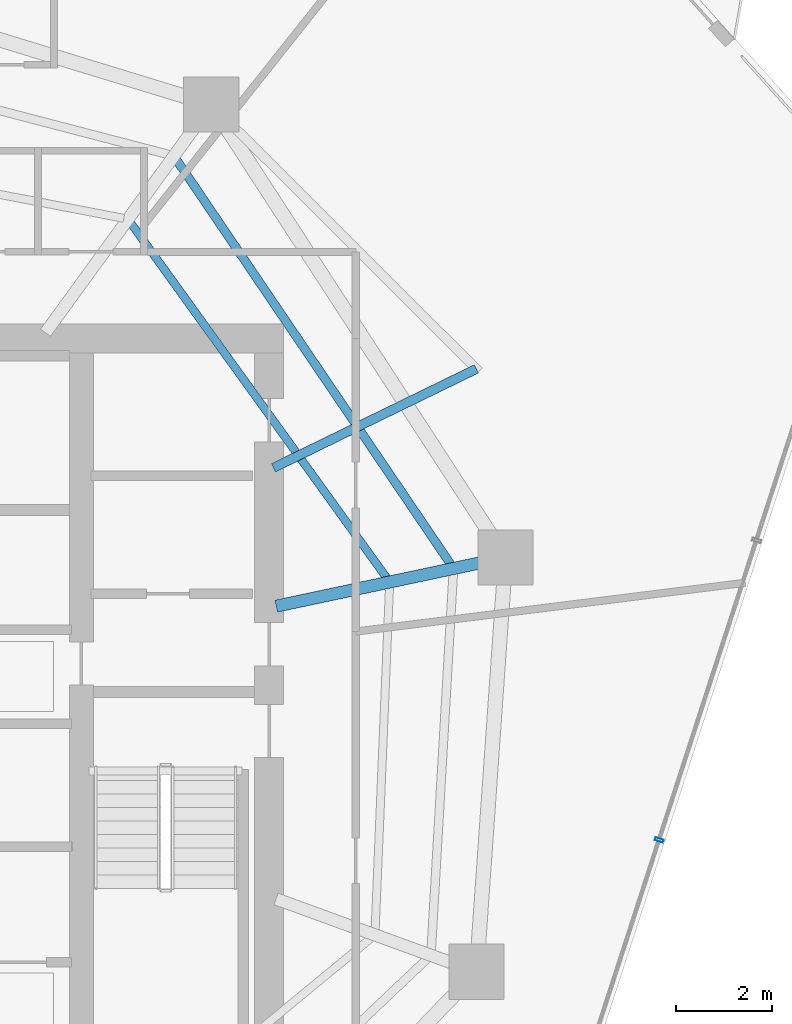
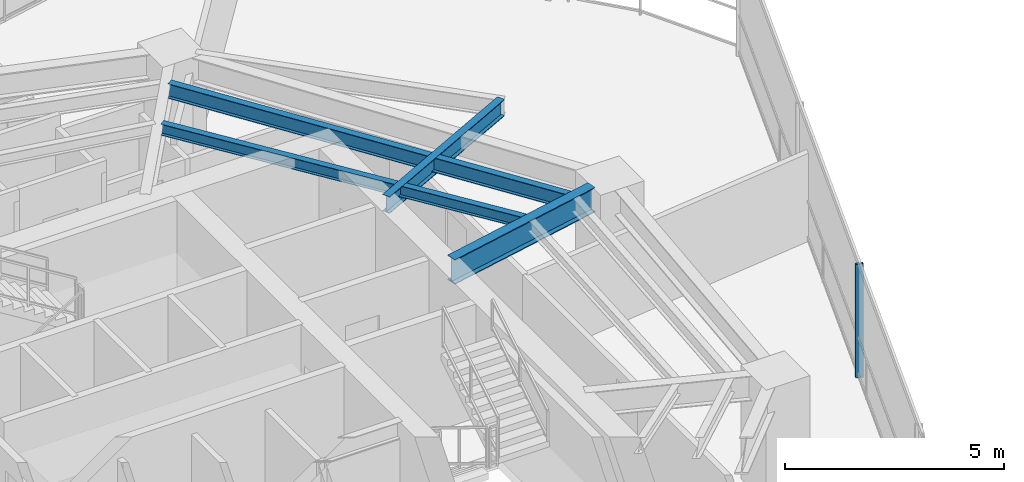
# One storey, part 13 of 27: 4 beams, 1 member, 1 element without a shape of its own.
"""IFC4 building model written with IfcOpenShell, lengths in metres."""

from ifc_helpers import new_model, si_unit, direction, frame, origin, origin_2d, place, context, subcontext, project, spatial, hollow_rectangle, i_section, extrude, material, layer, layer_set, material_profile, profile_set, type_object, element, aggregate, save


model = new_model("IFC4")

# Units and contexts
model_context = context("Model", 3, precision=1e-05, world=origin(), true_north=direction((0.0, 1.0)))
body_context = subcontext(model_context, "Body", "Model", "MODEL_VIEW")
ifc_project = project(units=[si_unit("LENGTHUNIT", "METRE"), si_unit("AREAUNIT", "SQUARE_METRE"), si_unit("VOLUMEUNIT", "CUBIC_METRE"), si_unit("PLANEANGLEUNIT", "RADIAN"), si_unit("MASSUNIT", "GRAM", prefix="KILO")], contexts=[model_context])

# Site, building, storey
site_placement = place(None, origin())
site = spatial("IfcSite", under=ifc_project, at=site_placement, CompositionType="ELEMENT")
building_placement = place(site_placement, origin())
building = spatial("IfcBuilding", under=site, at=building_placement, Name="Qarnah Convention Tower", CompositionType="ELEMENT")
storey_placement = place(building_placement, frame((0.0, 0.0, 110.85009765625)))
storey = spatial("IfcBuildingStorey", under=building, at=storey_placement, Name="L29", CompositionType="ELEMENT", Elevation=110.85009765625)

# Beams
ifc_material_1 = material(Name="Structural steel S355JR", Category="steel")
ifc_material_profile_1 = material_profile(ifc_material_1, i_section(OverallWidth=0.19189453125, OverallDepth=0.464111328125, WebThickness=0.010986328125, FlangeThickness=0.01806640625, at=origin_2d()), Name="W460X89")
ifc_profile_set_1 = profile_set([ifc_material_profile_1], Name="Structural steel S355JR")
beam_type_1 = type_object("IfcBeamType", Name="BM-CANT-W460A", PredefinedType="BEAM", material=ifc_profile_set_1)
beam_1_placement = place(storey_placement, frame((47.68994140625, 31.51611328125, 2.93798828125), z_axis=(0.898872044655, 0.438211190339, 0.0), x_axis=(-0.438211190339, 0.898872044655, 0.0)))
element("IfcBeam", 1, at=beam_1_placement, inside=storey, type_object=beam_type_1, Name="L29 beam BM-L29-CNT-01-2", PredefinedType="BEAM", context=body_context, shape_type="SweptSolid", body=[
    extrude(i_section(OverallWidth=0.19189453125, OverallDepth=0.464111328125, WebThickness=0.010986328125, FlangeThickness=0.01806640625, at=origin_2d()), origin(), (0.0, 0.0, 1.0), 4.687255859375),
])
ifc_material_profile_2 = material_profile(ifc_material_1, i_section(OverallWidth=0.166015625, OverallDepth=0.31201171875, WebThickness=0.007080078125, FlangeThickness=0.010986328125, at=origin_2d()), Name="W310X45")
ifc_profile_set_2 = profile_set([ifc_material_profile_2], Name="Structural steel S355JR")
beam_type_2 = type_object("IfcBeamType", Name="BM-JST-W310", PredefinedType="JOIST", material=ifc_profile_set_2)
beam_2_placement = place(storey_placement, frame((50.050048828125, 29.216064453125, 3.013916015625), z_axis=(-0.584910233528, 0.81109803274, 0.0), x_axis=(-0.81109803274, -0.584910233528, 0.0)))
element("IfcBeam", 2, at=beam_2_placement, inside=storey, type_object=beam_type_2, Name="L29 joist BM-L29-IJST-01", PredefinedType="JOIST", context=body_context, shape_type="SweptSolid", body=[
    extrude(i_section(OverallWidth=0.166015625, OverallDepth=0.31201171875, WebThickness=0.007080078125, FlangeThickness=0.010986328125, at=origin_2d()), origin(), (0.0, 0.0, 1.0), 9.111083984375),
])
ifc_material_profile_3 = material_profile(ifc_material_1, i_section(OverallWidth=0.177978515625, OverallDepth=0.407958984375, WebThickness=0.008056640625, FlangeThickness=0.012939453125, at=origin_2d()), Name="W410X60")
ifc_profile_set_3 = profile_set([ifc_material_profile_3], Name="Structural steel S355JR")
beam_type_3 = type_object("IfcBeamType", Name="BM-JST-W410", PredefinedType="JOIST", material=ifc_profile_set_3)
beam_3_placement = place(storey_placement, frame((51.3779296875, 29.5, 2.9658203125), z_axis=(-0.561116205741, 0.827737037745, 0.0), x_axis=(-0.827737037745, -0.561116205741, 0.0)))
element("IfcBeam", 3, at=beam_3_placement, inside=storey, type_object=beam_type_3, Name="L29 joist BM-L29-SJST-01", PredefinedType="JOIST", context=body_context, shape_type="SweptSolid", body=[
    extrude(i_section(OverallWidth=0.177978515625, OverallDepth=0.407958984375, WebThickness=0.008056640625, FlangeThickness=0.012939453125, at=origin_2d()), origin(), (0.0, 0.0, 1.0), 10.168701171875),
])
ifc_material_profile_4 = material_profile(ifc_material_1, i_section(OverallWidth=0.25390625, OverallDepth=0.68798828125, WebThickness=0.012939453125, FlangeThickness=0.02099609375, at=origin_2d()), Name="W690X152")
ifc_profile_set_4 = profile_set([ifc_material_profile_4], Name="Structural steel S355JR")
beam_type_4 = type_object("IfcBeamType", Name="BM-RAD-W690", PredefinedType="BEAM", material=ifc_profile_set_4)
beam_4_placement = place(storey_placement, frame((47.7470703125, 28.64208984375, 2.825927734375), z_axis=(0.978128480765, 0.20800162287, 0.0), x_axis=(-0.20800162287, 0.978128480765, 0.0)))
element("IfcBeam", 4, at=beam_4_placement, inside=storey, type_object=beam_type_4, Name="L29 beam BM-L29-RAD-01", PredefinedType="BEAM", context=body_context, shape_type="SweptSolid", body=[
    extrude(i_section(OverallWidth=0.25390625, OverallDepth=0.68798828125, WebThickness=0.012939453125, FlangeThickness=0.02099609375, at=origin_2d()), origin(), (0.0, 0.0, 1.0), 4.312255859375),
])

# Curtain wall, member
ifc_material_2 = material(Name="Tempered Low-E dark glass", Category="glass")
ifc_layer = layer(ifc_material_2, 0.169921875)
ifc_layer_set = layer_set([ifc_layer], Name="Tempered Low-E dark glass")
curtain_wall_type = type_object("IfcCurtainWallType", Name="CWS-02", PredefinedType="NOTDEFINED", material=ifc_layer_set)
curtain_wall_placement = place(storey_placement, origin())
curtain_wall = element("IfcCurtainWall", 5, at=curtain_wall_placement, inside=storey, type_object=curtain_wall_type, Name="L29 unitised curtain wall CW-L29-F2", PredefinedType="NOTDEFINED")
ifc_material_3 = material(Name="Black anodised aluminium", Category="aluminium")
ifc_material_profile_5 = material_profile(ifc_material_3, hollow_rectangle(XDim=0.06494140625, YDim=0.179931640625, WallThickness=0.00390625, at=origin_2d()), Name="MUL-65X180")
ifc_profile_set_5 = profile_set([ifc_material_profile_5], Name="Black anodised aluminium")
member_type = type_object("IfcMemberType", Name="MUL-T2", PredefinedType="MULLION", material=ifc_profile_set_5)
member_placement = place(storey_placement, frame((55.698974609375, 23.78564453125, 0.0), z_axis=(0.0, 0.0, 1.0), x_axis=(-0.309011433682, -0.951058323056, 0.0)))
member = element("IfcMember", 6, at=member_placement, type_object=member_type, Name="CW-L29-F2 mullion 3", PredefinedType="MULLION", context=body_context, shape_type="SweptSolid", body=[
    extrude(hollow_rectangle(XDim=0.06494140625, YDim=0.179931640625, WallThickness=0.00390625, at=origin_2d()), origin(), (0.0, 0.0, 1.0), 3.169921875),
])
aggregate(curtain_wall, [member])

save(model, "model.ifc")
